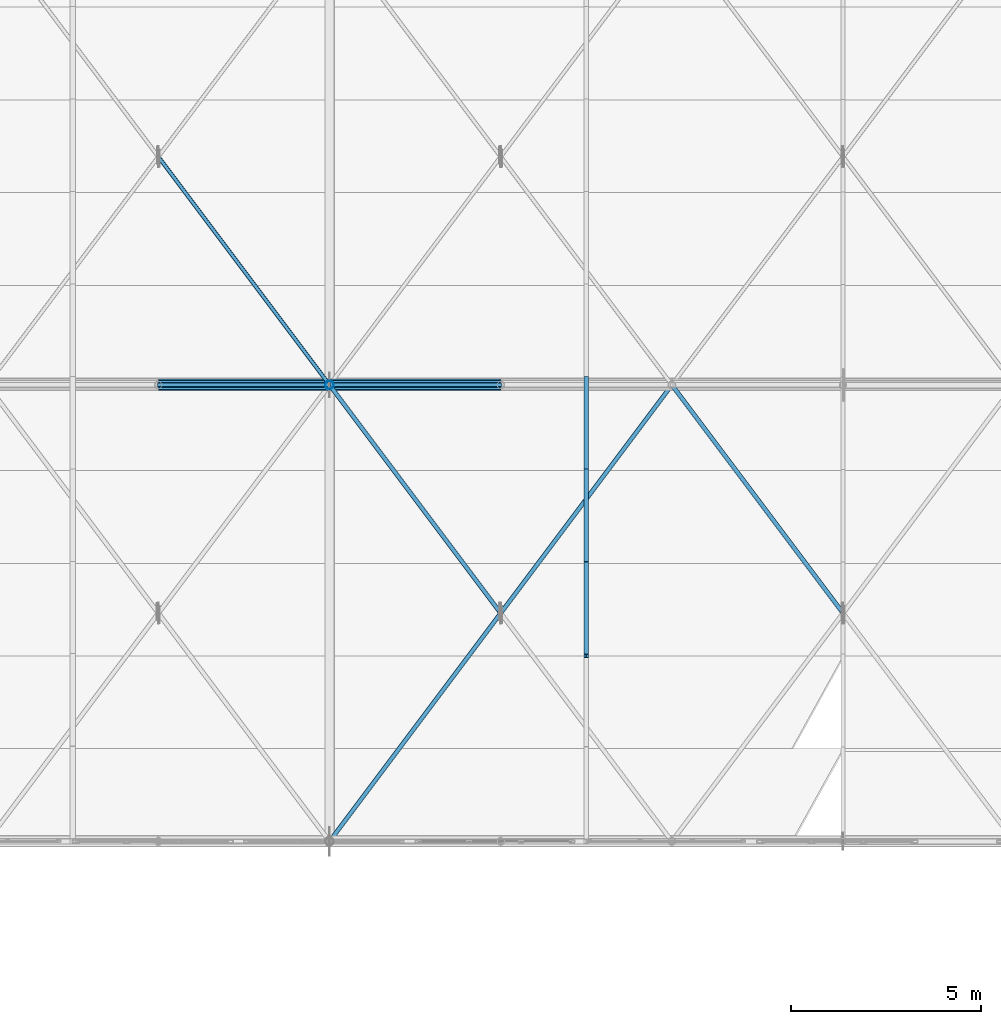
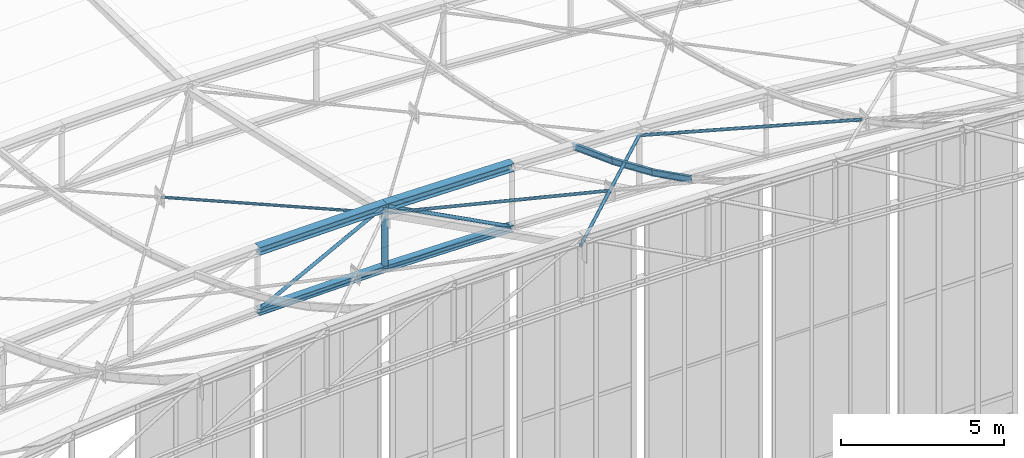
# One storey, part 64 of 262: 14 members.
"""IFC4 building model written with IfcOpenShell, lengths in metres."""

from ifc_helpers import new_model, si_unit, derived_unit, direction, frame, origin, origin_2d, place, context, subcontext, project, spatial, hollow_circle, i_section, extrude, material, material_profile, profile_set, type_object, element, save


model = new_model("IFC4")

# Units and contexts
model_context = context("Model", 3, precision=1e-05, world=origin(), true_north=direction((0.0, 1.0)))
body_context = subcontext(model_context, "Body", "Model", "MODEL_VIEW")
ifc_project = project(units=[si_unit("LENGTHUNIT", "METRE"), si_unit("AREAUNIT", "SQUARE_METRE"), si_unit("VOLUMEUNIT", "CUBIC_METRE"), si_unit("PLANEANGLEUNIT", "RADIAN"), si_unit("MASSUNIT", "GRAM", prefix="KILO"), derived_unit("THERMALTRANSMITTANCEUNIT", [(si_unit("POWERUNIT", "WATT"), 1), (si_unit("LENGTHUNIT", "METRE"), -2), (si_unit("THERMODYNAMICTEMPERATUREUNIT", "KELVIN"), -1)])], contexts=[model_context])

# Site, building, storey
site_placement = place(None, origin())
site = spatial("IfcSite", under=ifc_project, at=site_placement, CompositionType="ELEMENT")
building_placement = place(site_placement, origin())
building = spatial("IfcBuilding", under=site, at=building_placement, Name="Almenara Railside Exhibition Hall", CompositionType="ELEMENT")
storey_placement = place(building_placement, frame((0.0, 0.0, 21.699951171875)))
storey = spatial("IfcBuildingStorey", under=building, at=storey_placement, Name="RF", CompositionType="ELEMENT", Elevation=21.699951171875)

# Members
ifc_material = material(Name="Structural steel S355JR", Category="steel")
ifc_material_profile_1 = material_profile(ifc_material, i_section(OverallWidth=0.239990234375, OverallDepth=0.239990234375, WebThickness=0.010009765625, FlangeThickness=0.01708984375, FilletRadius=0.02099609375, at=origin_2d()), Name="HEB 240")
ifc_profile_set_1 = profile_set([ifc_material_profile_1], Name="Structural steel S355JR")
member_type_1 = type_object("IfcMemberType", Name="Arched Crown Bottom Chord HEB 240 S355JR", PredefinedType="CHORD", material=ifc_profile_set_1)
for number, where, z_axis, x_axis, name in (
    (1, (34.5, 60.0, 2.68017578125), (0.999908030213, 0.0, 0.013562120635), (0.0, 1.0, 0.0), "MEM-BC-V1-01-05"),
    (2, (39.0, 60.0, 2.7412109375), (0.999908030213, 0.0, -0.013562120635), (0.0, 1.0, 0.0), "MEM-BC-V1-01-06"),
):
    element("IfcMember", number, at=place(storey_placement, frame(where, z_axis=z_axis, x_axis=x_axis)), inside=storey, type_object=member_type_1, Name=name, PredefinedType="CHORD", context=body_context, shape_type="SweptSolid", body=[
        extrude(i_section(OverallWidth=0.239990234375, OverallDepth=0.239990234375, WebThickness=0.010009765625, FlangeThickness=0.01708984375, FilletRadius=0.02099609375, at=origin_2d()), origin(), (0.0, 0.0, 1.0), 4.50048828125),
    ])
ifc_material_profile_2 = material_profile(ifc_material, i_section(OverallWidth=0.300048828125, OverallDepth=0.300048828125, WebThickness=0.010986328125, FlangeThickness=0.01904296875, FilletRadius=0.027099609375, at=origin_2d()), Name="HEB 300")
ifc_profile_set_2 = profile_set([ifc_material_profile_2], Name="Structural steel S355JR")
member_type_2 = type_object("IfcMemberType", Name="Arched Inner Top Chord HEB 300 S355JR", PredefinedType="CHORD", material=ifc_profile_set_2)
for number, where, z_axis, x_axis, name in (
    (3, (34.5, 60.0, 4.980224609375), (0.999908030213, 0.0, 0.013562120635), (0.0, 1.0, 0.0), "MEM-TC-V1-01-05"),
    (4, (39.0, 60.0, 5.041259765625), (0.999908030213, 0.0, -0.013562120635), (0.0, 1.0, 0.0), "MEM-TC-V1-01-06"),
):
    element("IfcMember", number, at=place(storey_placement, frame(where, z_axis=z_axis, x_axis=x_axis)), inside=storey, type_object=member_type_2, Name=name, PredefinedType="CHORD", context=body_context, shape_type="SweptSolid", body=[
        extrude(i_section(OverallWidth=0.300048828125, OverallDepth=0.300048828125, WebThickness=0.010986328125, FlangeThickness=0.01904296875, FilletRadius=0.027099609375, at=origin_2d()), origin(), (0.0, 0.0, 1.0), 4.50048828125),
    ])
ifc_material_profile_3 = material_profile(ifc_material, i_section(OverallWidth=0.110107421875, OverallDepth=0.219970703125, WebThickness=0.005859375, FlangeThickness=0.00927734375, FilletRadius=0.011962890625, at=origin_2d()), Name="IPE 220")
ifc_profile_set_3 = profile_set([ifc_material_profile_3], Name="Structural steel S355JR")
member_type_3 = type_object("IfcMemberType", Name="Heavy Hall Roof Purlin IPE 220 S355JR", PredefinedType="PURLIN", material=ifc_profile_set_3)
member_1_placement = place(storey_placement, frame((45.75, 52.873291015625, 7.982177734375), z_axis=(0.0, 0.895376074457, -0.445310773831), x_axis=(-1.0, 0.0, 0.0)))
element("IfcMember", 5, at=member_1_placement, inside=storey, type_object=member_type_3, Name="MEM-PR-V1-PR-IPE220-05-02", PredefinedType="PURLIN", context=body_context, shape_type="SweptSolid", body=[
    extrude(i_section(OverallWidth=0.110107421875, OverallDepth=0.219970703125, WebThickness=0.005859375, FlangeThickness=0.00927734375, FilletRadius=0.011962890625, at=origin_2d()), origin(), (0.0, 0.0, 1.0), 2.721435546875),
])
member_2_placement = place(storey_placement, frame((45.75, 55.31005859375, 6.7783203125), z_axis=(0.0, 0.917223393452, -0.398373250237), x_axis=(-1.0, 0.0, 0.0)))
element("IfcMember", 6, at=member_2_placement, inside=storey, type_object=member_type_3, Name="MEM-PR-V1-PR-IPE220-05-03", PredefinedType="PURLIN", context=body_context, shape_type="SweptSolid", body=[
    extrude(i_section(OverallWidth=0.110107421875, OverallDepth=0.219970703125, WebThickness=0.005859375, FlangeThickness=0.00927734375, FilletRadius=0.011962890625, at=origin_2d()), origin(), (0.0, 0.0, 1.0), 2.65673828125),
])
member_3_placement = place(storey_placement, frame((45.75, 57.746826171875, 5.7265625), z_axis=(0.0, 0.936171044044, -0.351544842508), x_axis=(-1.0, 0.0, 0.0)))
element("IfcMember", 7, at=member_3_placement, inside=storey, type_object=member_type_3, Name="MEM-PR-V1-PR-IPE220-05-04", PredefinedType="PURLIN", context=body_context, shape_type="SweptSolid", body=[
    extrude(i_section(OverallWidth=0.110107421875, OverallDepth=0.219970703125, WebThickness=0.005859375, FlangeThickness=0.00927734375, FilletRadius=0.011962890625, at=origin_2d()), origin(), (0.0, 0.0, 1.0), 2.60302734375),
])
ifc_material_profile_4 = material_profile(ifc_material, hollow_circle(Radius=0.05712890625, WallThickness=0.00439453125, at=origin_2d()), Name="CHS 114.3x4.5")
ifc_profile_set_4 = profile_set([ifc_material_profile_4], Name="Structural steel S355JR")
member_type_4 = type_object("IfcMemberType", Name="Roof Wind Plan X-Brace CHS 114.3x4.5 S355JR", PredefinedType="BRACE", material=ifc_profile_set_4)
member_4_placement = place(storey_placement, frame((39.0, 48.0, 10.820068359375), z_axis=(0.553146825665, 0.737529100887, -0.387400844863), x_axis=(-0.8, 0.6, 0.0)))
element("IfcMember", 8, at=member_4_placement, inside=storey, type_object=member_type_4, Name="MEM-WB-V1-WB-CHS114-00-06-C", PredefinedType="BRACE", context=body_context, shape_type="SweptSolid", body=[
    extrude(hollow_circle(Radius=0.05712890625, WallThickness=0.00439453125, at=origin_2d()), origin(), (0.0, 0.0, 1.0), 16.2705078125),
])
member_5_placement = place(storey_placement, frame((43.4658203125, 54.045654296875, 7.646240234375), z_axis=(-0.559448007342, 0.74592048169, -0.361414667765), x_axis=(-0.799996063801, -0.600005248229, 0.0)))
element("IfcMember", 9, at=member_5_placement, inside=storey, type_object=member_type_4, Name="MEM-WB-V1-WB-CHS114-00-06-S2", PredefinedType="BRACE", context=body_context, shape_type="SweptSolid", body=[
    extrude(hollow_circle(Radius=0.05712890625, WallThickness=0.00439453125, at=origin_2d()), origin(), (0.0, 0.0, 1.0), 7.982666015625),
])
member_6_placement = place(storey_placement, frame((52.46533203125, 54.046142578125, 7.158935546875), z_axis=(-0.565421070483, 0.753905065383, -0.33455368096), x_axis=(-0.800003936526, -0.599994751263, 0.0)))
element("IfcMember", 10, at=member_6_placement, inside=storey, type_object=member_type_4, Name="MEM-WB-V1-WB-CHS114-00-08-S2", PredefinedType="BRACE", context=body_context, shape_type="SweptSolid", body=[
    extrude(hollow_circle(Radius=0.05712890625, WallThickness=0.00439453125, at=origin_2d()), origin(), (0.0, 0.0, 1.0), 7.8974609375),
])
ifc_material_profile_5 = material_profile(ifc_material, hollow_circle(Radius=0.05078125, WallThickness=0.00390625, at=origin_2d()), Name="CHS 101.6x4")
ifc_profile_set_5 = profile_set([ifc_material_profile_5], Name="Structural steel S355JR")
member_type_5 = type_object("IfcMemberType", Name="Scroll Wind Plan Brace CHS 101.6x4 S355JR", PredefinedType="BRACE", material=ifc_profile_set_5)
member_7_placement = place(storey_placement, frame((39.0, 60.0, 4.76123046875), z_axis=(-0.588938662257, 0.785251549676, -0.191131514489), x_axis=(-0.8, -0.6, 0.0)))
element("IfcMember", 11, at=member_7_placement, inside=storey, type_object=member_type_5, Name="MEM-WB-V1-WB-CHS102-01-04-S1", PredefinedType="BRACE", context=body_context, shape_type="SweptSolid", body=[
    extrude(hollow_circle(Radius=0.05078125, WallThickness=0.00390625, at=origin_2d()), origin(), (0.0, 0.0, 1.0), 7.586181640625),
])
ifc_material_profile_6 = material_profile(ifc_material, hollow_circle(Radius=0.0634765625, WallThickness=0.00439453125, at=origin_2d()), Name="CHS 127.0x4.5")
ifc_profile_set_6 = profile_set([ifc_material_profile_6], Name="Structural steel S355JR")
member_type_6 = type_object("IfcMemberType", Name="Truss Crown Diagonal CHS 127.0x4.5 S355JR", PredefinedType="BRACE", material=ifc_profile_set_6)
for number, where, z_axis, x_axis, name in (
    (12, (34.5, 60.0, 2.68017578125), (0.885512555589, 0.0, 0.464615447326), (0.0, 1.0, 0.0), "MEM-TD-V1-01-05"),
    (13, (39.0, 60.0, 5.041259765625), (0.885512555589, 0.0, -0.464615447326), (0.0, 1.0, 0.0), "MEM-TD-V1-01-06"),
):
    element("IfcMember", number, at=place(storey_placement, frame(where, z_axis=z_axis, x_axis=x_axis)), inside=storey, type_object=member_type_6, Name=name, PredefinedType="BRACE", context=body_context, shape_type="SweptSolid", body=[
        extrude(hollow_circle(Radius=0.0634765625, WallThickness=0.00439453125, at=origin_2d()), origin(), (0.0, 0.0, 1.0), 5.081787109375),
    ])
ifc_material_profile_7 = material_profile(ifc_material, hollow_circle(Radius=0.109619140625, WallThickness=0.008056640625, at=origin_2d()), Name="CHS 219.1x8")
ifc_profile_set_7 = profile_set([ifc_material_profile_7], Name="Structural steel S355JR")
member_type_7 = type_object("IfcMemberType", Name="Truss Primary Vertical Strut CHS 219.1x8 S355JR", PredefinedType="BRACE", material=ifc_profile_set_7)
member_8_placement = place(storey_placement, frame((39.0, 60.0, 2.7412109375), z_axis=(0.0, 0.0, 1.0), x_axis=(1.0, 0.0, 0.0)))
element("IfcMember", 14, at=member_8_placement, inside=storey, type_object=member_type_7, Name="MEM-TV-V1-01-06", PredefinedType="BRACE", context=body_context, shape_type="SweptSolid", body=[
    extrude(hollow_circle(Radius=0.109619140625, WallThickness=0.008056640625, at=origin_2d()), origin(), (0.0, 0.0, 1.0), 2.300048828125),
])

save(model, "model.ifc")
